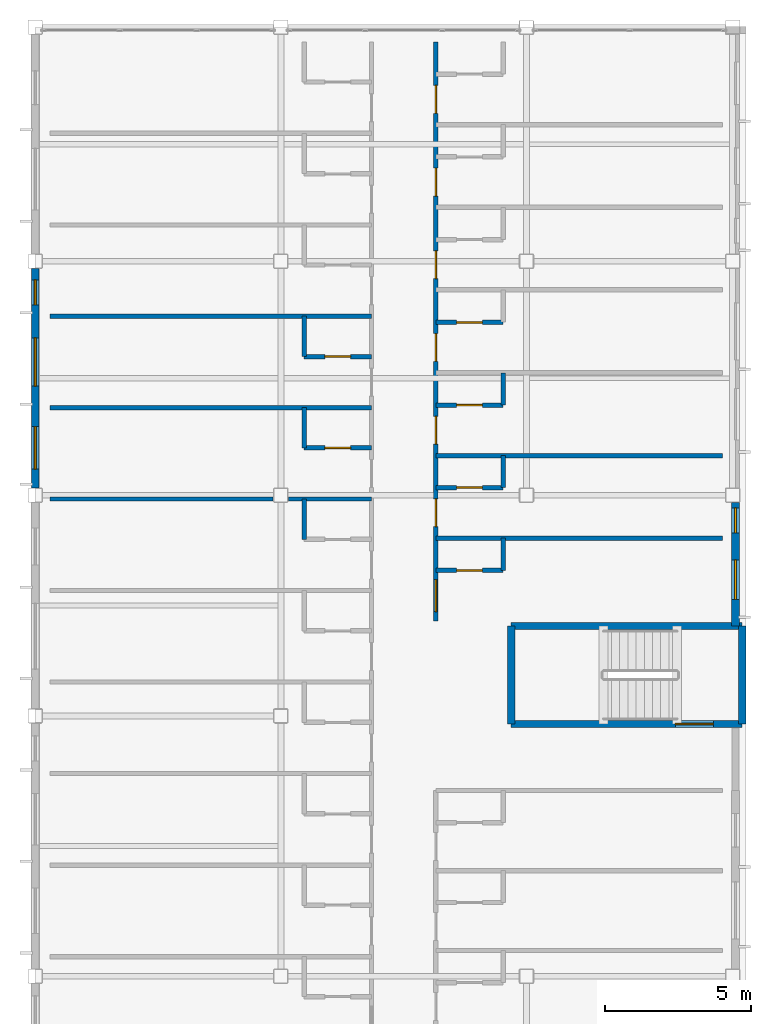
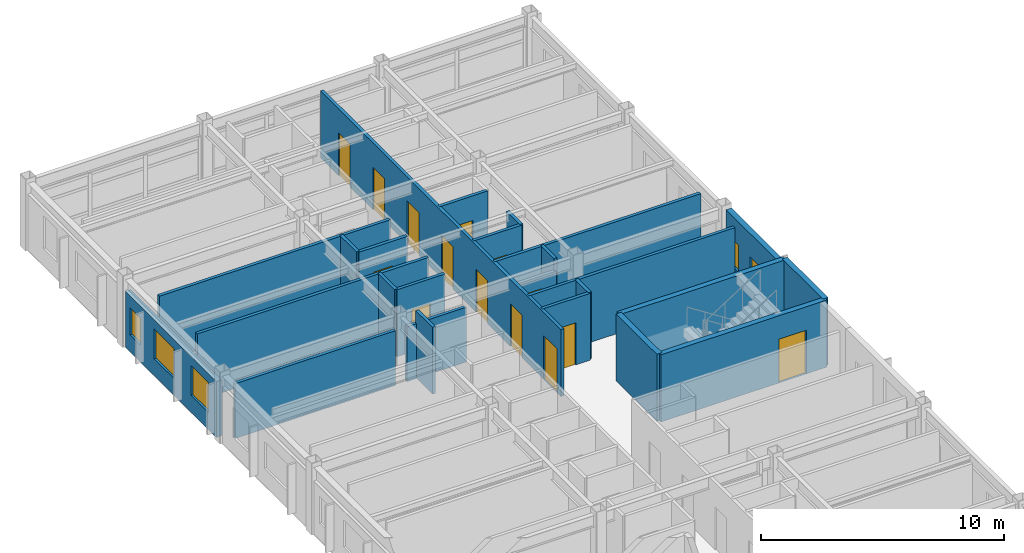
# One storey, part 30 of 35: 25 walls, 14 doors, 5 windows, 19 openings.
"""IFC4 building model written with IfcOpenShell, lengths in metres."""

from ifc_helpers import new_model, si_unit, direction, frame, frame_2d, origin, place, context, subcontext, project, spatial, rectangle, extrude, material, layer, layer_set, type_object, element, fill, save


model = new_model("IFC4")

# Units and contexts
model_context = context("Model", 3, precision=1e-05, world=origin(), true_north=direction((0.0, 1.0)))
body_context = subcontext(model_context, "Body", "Model", "MODEL_VIEW")
ifc_project = project(units=[si_unit("LENGTHUNIT", "METRE"), si_unit("AREAUNIT", "SQUARE_METRE"), si_unit("VOLUMEUNIT", "CUBIC_METRE"), si_unit("PLANEANGLEUNIT", "RADIAN"), si_unit("MASSUNIT", "GRAM", prefix="KILO")], contexts=[model_context])

# Site, building, storey
site_placement = place(None, origin())
site = spatial("IfcSite", under=ifc_project, at=site_placement, CompositionType="ELEMENT")
building_placement = place(site_placement, origin())
building = spatial("IfcBuilding", under=site, at=building_placement, Name="Kazehara Bluff Congress Hotel", CompositionType="ELEMENT")
storey_placement = place(building_placement, frame((0.0, 0.0, 35.39990234375)))
storey = spatial("IfcBuildingStorey", under=building, at=storey_placement, Name="L08", CompositionType="ELEMENT", Elevation=35.39990234375)

# Walls
ifc_material_1 = material(Name="Concrete C40/50", Category="concrete")
ifc_layer_1 = layer(ifc_material_1, 0.25)
ifc_layer_set_1 = layer_set([ifc_layer_1], Name="Concrete C40/50")
wall_type_1 = type_object("IfcWallType", Name="TP-CW-RC", PredefinedType="SHEAR", material=ifc_layer_set_1)
for number, where, z_axis, x_axis, name in (
    (1, (167.875, 76.425048828125, 0.0), (0.0, 0.0, 1.0), (0.0, -1.0, 0.0), "L08 ST-12 core wall near"),
    (2, (159.97509765625, 73.074951171875, 0.0), (0.0, 0.0, 1.0), (0.0, 1.0, 0.0), "L08 ST-12 core wall far"),
):
    element("IfcWall", number, at=place(storey_placement, frame(where, z_axis=z_axis, x_axis=x_axis)), inside=storey, type_object=wall_type_1, Name=name, PredefinedType="SHEAR", context=body_context, shape_type="SweptSolid", body=[
        extrude(rectangle(XDim=3.35009765625, YDim=0.25, at=frame_2d((1.675048828125, 0.0))), origin(), (0.0, 0.0, 1.0), 3.380126953125),
    ])
wall_1_placement = place(storey_placement, frame((159.97509765625, 76.425048828125, 0.0), z_axis=(0.0, 0.0, 1.0), x_axis=(1.0, 0.0, 0.0)))
element("IfcWall", 3, at=wall_1_placement, inside=storey, type_object=wall_type_1, Name="L08 ST-12 core wall left", PredefinedType="SHEAR", context=body_context, shape_type="SweptSolid", body=[
    extrude(rectangle(XDim=7.89990234375, YDim=0.25, at=frame_2d((3.949951171875, 0.0))), origin(), (0.0, 0.0, 1.0), 3.380126953125),
])

# Wall, opening, door
wall_2_placement = place(storey_placement, frame((167.875, 73.074951171875, 0.0), z_axis=(0.0, 0.0, 1.0), x_axis=(-1.0, 0.0, 0.0)))
wall_2 = element("IfcWall", 4, at=wall_2_placement, inside=storey, type_object=wall_type_1, Name="L08 ST-12 core wall right", PredefinedType="SHEAR", context=body_context, shape_type="SweptSolid", body=[
    extrude(rectangle(XDim=7.89990234375, YDim=0.25, at=frame_2d((3.949951171875, 0.0))), origin(), (0.0, 0.0, 1.0), 3.380126953125),
])
opening_1_placement = place(wall_2_placement, frame((0.985107421875, 0.0, 0.0)))
opening_1 = element("IfcOpeningElement", 5, at=opening_1_placement, cuts=wall_2, Name="Opening FD-01", PredefinedType="OPENING", context=body_context, shape_type="SweptSolid", body=[
    extrude(rectangle(XDim=1.300048828125, YDim=2.199951171875, at=frame_2d((0.64990234375, 1.10009765625))), frame((0.0, 0.135009765625, 0.0), z_axis=(0.0, -1.0, 0.0), x_axis=(1.0, 0.0, 0.0)), (0.0, 0.0, 1.0), 0.27001953125),
])
ifc_material_2 = material(Name="Fire-rated painted steel leaf", Category="steel")
door_type_1 = type_object("IfcDoorType", Name="TP-FD-01", OperationType="NOTDEFINED", PredefinedType="DOOR", material=ifc_material_2)
door_1_placement = place(opening_1_placement, origin())
door_1 = element("IfcDoor", 6, at=door_1_placement, inside=storey, type_object=door_type_1, Name="L08 ST-12 fire stair door", OperationType="SINGLE_SWING_RIGHT", OverallHeight=2.199951171875, OverallWidth=1.300048828125, PredefinedType="DOOR", context=body_context, shape_type="SweptSolid", body=[
    extrude(rectangle(XDim=1.300048828125, YDim=2.199951171875, at=frame_2d((0.64990234375, 1.10009765625))), frame((0.0, 0.02490234375, 0.0), z_axis=(0.0, -1.0, 0.0), x_axis=(1.0, 0.0, 0.0)), (0.0, 0.0, 1.0), 0.050048828125),
])
fill(opening_1, door_1)

# Wall, openings, windows
ifc_material_3 = material(Name="Precast concrete C40/50", Category="concrete")
ifc_layer_2 = layer(ifc_material_3, 0.260009765625)
ifc_layer_set_2 = layer_set([ifc_layer_2], Name="Precast concrete C40/50")
wall_type_2 = type_object("IfcWallType", Name="TP-EW-260", PredefinedType="SOLIDWALL", material=ifc_layer_set_2)
wall_3_placement = place(storey_placement, frame((167.64990234375, 80.64990234375, 0.0), z_axis=(0.0, 0.0, 1.0), x_axis=(0.0, -1.0, 0.0)))
wall_3 = element("IfcWall", 7, at=wall_3_placement, inside=storey, type_object=wall_type_2, Name="L08 hotel facade panel 117", PredefinedType="SOLIDWALL", context=body_context, shape_type="SweptSolid", body=[
    extrude(rectangle(XDim=4.224853515625, YDim=0.260009765625, at=frame_2d((2.1123046875, 0.0))), origin(), (0.0, 0.0, 1.0), 3.364990234375),
])
opening_2_placement = place(wall_3_placement, frame((1.9599609375, 0.0, 0.85009765625)))
opening_2 = element("IfcOpeningElement", 8, at=opening_2_placement, cuts=wall_3, Name="Opening WN-11", PredefinedType="OPENING", context=body_context, shape_type="SweptSolid", body=[
    extrude(rectangle(XDim=1.35009765625, YDim=1.35009765625, at=frame_2d((0.675048828125, 0.675048828125))), frame((0.0, 0.139892578125, 0.0), z_axis=(0.0, -1.0, 0.0), x_axis=(1.0, 0.0, 0.0)), (0.0, 0.0, 1.0), 0.280029296875),
])
opening_3_placement = place(wall_3_placement, frame((0.18505859375, 0.0, 0.85009765625)))
opening_3 = element("IfcOpeningElement", 9, at=opening_3_placement, cuts=wall_3, Name="Opening WN-55", PredefinedType="OPENING", context=body_context, shape_type="SweptSolid", body=[
    extrude(rectangle(XDim=0.85009765625, YDim=1.35009765625, at=frame_2d((0.425048828125, 0.675048828125))), frame((0.0, 0.139892578125, 0.0), z_axis=(0.0, -1.0, 0.0), x_axis=(1.0, 0.0, 0.0)), (0.0, 0.0, 1.0), 0.280029296875),
])
ifc_material_4 = material(Name="Insulated low-E double glazing", Category="glass")
window_type_1 = type_object("IfcWindowType", Name="TP-WN-11", PartitioningType="SINGLE_PANEL", PredefinedType="WINDOW", material=ifc_material_4)
window_1_placement = place(opening_2_placement, origin())
window_1 = element("IfcWindow", 10, at=window_1_placement, inside=storey, type_object=window_type_1, Name="L08 guestroom window WN-11 225", OverallHeight=1.35009765625, OverallWidth=1.35009765625, PartitioningType="SINGLE_PANEL", PredefinedType="WINDOW", context=body_context, shape_type="SweptSolid", body=[
    extrude(rectangle(XDim=1.35009765625, YDim=1.35009765625, at=frame_2d((0.675048828125, 0.675048828125))), frame((0.0, 0.030029296875, 0.0), z_axis=(0.0, -1.0, 0.0), x_axis=(1.0, 0.0, 0.0)), (0.0, 0.0, 1.0), 0.06005859375),
])
fill(opening_2, window_1)
ifc_material_5 = material(Name="Insulated low-E double glazing", Category="glass")
window_type_2 = type_object("IfcWindowType", Name="TP-WN-55", PartitioningType="SINGLE_PANEL", PredefinedType="WINDOW", material=ifc_material_5)
window_2_placement = place(opening_3_placement, origin())
window_2 = element("IfcWindow", 11, at=window_2_placement, inside=storey, type_object=window_type_2, Name="L08 guestroom window WN-55 226", OverallHeight=1.35009765625, OverallWidth=0.85009765625, PartitioningType="SINGLE_PANEL", PredefinedType="WINDOW", context=body_context, shape_type="SweptSolid", body=[
    extrude(rectangle(XDim=0.85009765625, YDim=1.35009765625, at=frame_2d((0.425048828125, 0.675048828125))), frame((0.0, 0.030029296875, 0.0), z_axis=(0.0, -1.0, 0.0), x_axis=(1.0, 0.0, 0.0)), (0.0, 0.0, 1.0), 0.06005859375),
])
fill(opening_3, window_2)

wall_4_placement = place(storey_placement, frame((143.699951171875, 81.14990234375, 0.0), z_axis=(0.0, 0.0, 1.0), x_axis=(0.0, 1.0, 0.0)))
wall_4 = element("IfcWall", 12, at=wall_4_placement, inside=storey, type_object=wall_type_2, Name="L08 hotel facade panel 128", PredefinedType="SOLIDWALL", context=body_context, shape_type="SweptSolid", body=[
    extrude(rectangle(XDim=7.5, YDim=0.260009765625, at=frame_2d((3.75, 0.0))), origin(), (0.0, 0.0, 1.0), 2.80517578125),
])
opening_4_placement = place(wall_4_placement, frame((0.64501953125, 0.0, 0.85009765625)))
opening_4 = element("IfcOpeningElement", 13, at=opening_4_placement, cuts=wall_4, Name="Opening WN-17", PredefinedType="OPENING", context=body_context, shape_type="SweptSolid", body=[
    extrude(rectangle(XDim=1.449951171875, YDim=1.5, at=frame_2d((0.72509765625, 0.75))), frame((0.0, 0.139892578125, 0.0), z_axis=(0.0, -1.0, 0.0), x_axis=(1.0, 0.0, 0.0)), (0.0, 0.0, 1.0), 0.280029296875),
])
opening_5_placement = place(wall_4_placement, frame((3.47998046875, 0.0, 0.85009765625)))
opening_5 = element("IfcOpeningElement", 14, at=opening_5_placement, cuts=wall_4, Name="Opening WN-27", PredefinedType="OPENING", context=body_context, shape_type="SweptSolid", body=[
    extrude(rectangle(XDim=1.64990234375, YDim=1.5, at=frame_2d((0.824951171875, 0.75))), frame((0.0, 0.139892578125, 0.0), z_axis=(0.0, -1.0, 0.0), x_axis=(1.0, 0.0, 0.0)), (0.0, 0.0, 1.0), 0.280029296875),
])
opening_6_placement = place(wall_4_placement, frame((6.260009765625, 0.0, 0.85009765625)))
opening_6 = element("IfcOpeningElement", 15, at=opening_6_placement, cuts=wall_4, Name="Opening WN-55", PredefinedType="OPENING", context=body_context, shape_type="SweptSolid", body=[
    extrude(rectangle(XDim=0.85009765625, YDim=1.35009765625, at=frame_2d((0.425048828125, 0.675048828125))), frame((0.0, 0.139892578125, 0.0), z_axis=(0.0, -1.0, 0.0), x_axis=(1.0, 0.0, 0.0)), (0.0, 0.0, 1.0), 0.280029296875),
])
ifc_material_6 = material(Name="Insulated low-E double glazing", Category="glass")
window_type_3 = type_object("IfcWindowType", Name="TP-WN-17", PartitioningType="SINGLE_PANEL", PredefinedType="WINDOW", material=ifc_material_6)
window_3_placement = place(opening_4_placement, origin())
window_3 = element("IfcWindow", 16, at=window_3_placement, inside=storey, type_object=window_type_3, Name="L08 guestroom window WN-17 248", OverallHeight=1.5, OverallWidth=1.449951171875, PartitioningType="SINGLE_PANEL", PredefinedType="WINDOW", context=body_context, shape_type="SweptSolid", body=[
    extrude(rectangle(XDim=1.449951171875, YDim=1.5, at=frame_2d((0.72509765625, 0.75))), frame((0.0, 0.030029296875, 0.0), z_axis=(0.0, -1.0, 0.0), x_axis=(1.0, 0.0, 0.0)), (0.0, 0.0, 1.0), 0.06005859375),
])
fill(opening_4, window_3)
ifc_material_7 = material(Name="Insulated low-E double glazing", Category="glass")
window_type_4 = type_object("IfcWindowType", Name="TP-WN-27", PartitioningType="SINGLE_PANEL", PredefinedType="WINDOW", material=ifc_material_7)
window_4_placement = place(opening_5_placement, origin())
window_4 = element("IfcWindow", 17, at=window_4_placement, inside=storey, type_object=window_type_4, Name="L08 guestroom window WN-27 249", OverallHeight=1.5, OverallWidth=1.64990234375, PartitioningType="SINGLE_PANEL", PredefinedType="WINDOW", context=body_context, shape_type="SweptSolid", body=[
    extrude(rectangle(XDim=1.64990234375, YDim=1.5, at=frame_2d((0.824951171875, 0.75))), frame((0.0, 0.030029296875, 0.0), z_axis=(0.0, -1.0, 0.0), x_axis=(1.0, 0.0, 0.0)), (0.0, 0.0, 1.0), 0.06005859375),
])
fill(opening_5, window_4)
window_5_placement = place(opening_6_placement, origin())
window_5 = element("IfcWindow", 18, at=window_5_placement, inside=storey, type_object=window_type_2, Name="L08 guestroom window WN-55 250", OverallHeight=1.35009765625, OverallWidth=0.85009765625, PartitioningType="SINGLE_PANEL", PredefinedType="WINDOW", context=body_context, shape_type="SweptSolid", body=[
    extrude(rectangle(XDim=0.85009765625, YDim=1.35009765625, at=frame_2d((0.425048828125, 0.675048828125))), frame((0.0, 0.030029296875, 0.0), z_axis=(0.0, -1.0, 0.0), x_axis=(1.0, 0.0, 0.0)), (0.0, 0.0, 1.0), 0.06005859375),
])
fill(opening_6, window_5)

# Wall, opening, door
ifc_material_8 = material(Name="Fire-rated gypsum board stud partition")
ifc_layer_3 = layer(ifc_material_8, 0.14990234375)
ifc_layer_set_3 = layer_set([ifc_layer_3], Name="Fire-rated gypsum board stud partition")
wall_type_3 = type_object("IfcWallType", Name="TP-PT-150", PredefinedType="PARTITIONING", material=ifc_layer_set_3)
wall_5_placement = place(storey_placement, frame((157.39990234375, 78.330078125, 0.0), z_axis=(0.0, 0.0, 1.0), x_axis=(1.0, 0.0, 0.0)))
wall_5 = element("IfcWall", 19, at=wall_5_placement, inside=storey, type_object=wall_type_3, Name="L08 partition PT-150 1084", PredefinedType="PARTITIONING", context=body_context, shape_type="SweptSolid", body=[
    extrude(rectangle(XDim=2.300048828125, YDim=0.14990234375, at=frame_2d((1.14990234375, 0.0))), origin(), (0.0, 0.0, 1.0), 3.364990234375),
])
opening_7_placement = place(wall_5_placement, frame((0.7099609375, 0.0, 0.0)))
opening_7 = element("IfcOpeningElement", 20, at=opening_7_placement, cuts=wall_5, Name="Opening BD-02", PredefinedType="OPENING", context=body_context, shape_type="SweptSolid", body=[
    extrude(rectangle(XDim=0.8798828125, YDim=2.1201171875, at=frame_2d((0.43994140625, 1.06005859375))), frame((0.0, 0.0849609375, 0.0), z_axis=(0.0, -1.0, 0.0), x_axis=(1.0, 0.0, 0.0)), (0.0, 0.0, 1.0), 0.169921875),
])
ifc_material_9 = material(Name="Architectural oak veneer leaf")
door_type_2 = type_object("IfcDoorType", Name="TP-BD-02", OperationType="NOTDEFINED", PredefinedType="DOOR", material=ifc_material_9)
door_2_placement = place(opening_7_placement, origin())
door_2 = element("IfcDoor", 21, at=door_2_placement, inside=storey, type_object=door_type_2, Name="L08 En-suite Bathroom 246 door", OperationType="SINGLE_SWING_LEFT", OverallHeight=2.1201171875, OverallWidth=0.8798828125, PredefinedType="DOOR", context=body_context, shape_type="SweptSolid", body=[
    extrude(rectangle(XDim=0.8798828125, YDim=2.1201171875, at=frame_2d((0.43994140625, 1.06005859375))), frame((0.0, 0.02490234375, 0.0), z_axis=(0.0, -1.0, 0.0), x_axis=(1.0, 0.0, 0.0)), (0.0, 0.0, 1.0), 0.050048828125),
])
fill(opening_7, door_2)

# Walls
wall_6_placement = place(storey_placement, frame((157.39990234375, 79.429931640625, 0.0), z_axis=(0.0, 0.0, 1.0), x_axis=(1.0, 0.0, 0.0)))
element("IfcWall", 22, at=wall_6_placement, inside=storey, type_object=wall_type_3, Name="L08 partition PT-150 1086", PredefinedType="PARTITIONING", context=body_context, shape_type="SweptSolid", body=[
    extrude(rectangle(XDim=9.800048828125, YDim=0.14990234375, at=frame_2d((4.89990234375, 0.0))), origin(), (0.0, 0.0, 1.0), 3.364990234375),
])
wall_7_placement = place(storey_placement, frame((144.199951171875, 80.77001953125, 0.0), z_axis=(0.0, 0.0, 1.0), x_axis=(1.0, 0.0, 0.0)))
element("IfcWall", 23, at=wall_7_placement, inside=storey, type_object=wall_type_3, Name="L08 partition PT-150 1087", PredefinedType="PARTITIONING", context=body_context, shape_type="SweptSolid", body=[
    extrude(rectangle(XDim=7.630126953125, YDim=0.14990234375, at=frame_2d((3.81494140625, 0.0))), origin(), (0.0, 0.0, 1.0), 2.755126953125),
])
wall_8_placement = place(storey_placement, frame((152.3701171875, 80.77001953125, 0.0), z_axis=(0.0, 0.0, 1.0), x_axis=(1.0, 0.0, 0.0)))
element("IfcWall", 24, at=wall_8_placement, inside=storey, type_object=wall_type_3, Name="L08 partition PT-150 1088", PredefinedType="PARTITIONING", context=body_context, shape_type="SweptSolid", body=[
    extrude(rectangle(XDim=2.829833984375, YDim=0.14990234375, at=frame_2d((1.4150390625, 0.0))), origin(), (0.0, 0.0, 1.0), 2.755126953125),
])

# Wall, opening, door
wall_9_placement = place(storey_placement, frame((157.39990234375, 81.159912109375, 0.0), z_axis=(0.0, 0.0, 1.0), x_axis=(1.0, 0.0, 0.0)))
wall_9 = element("IfcWall", 25, at=wall_9_placement, inside=storey, type_object=wall_type_3, Name="L08 partition PT-150 1089", PredefinedType="PARTITIONING", context=body_context, shape_type="SweptSolid", body=[
    extrude(rectangle(XDim=2.300048828125, YDim=0.14990234375, at=frame_2d((1.14990234375, 0.0))), origin(), (0.0, 0.0, 1.0), 2.755126953125),
])
opening_8_placement = place(wall_9_placement, frame((0.7099609375, 0.0, 0.0)))
opening_8 = element("IfcOpeningElement", 26, at=opening_8_placement, cuts=wall_9, Name="Opening BD-02", PredefinedType="OPENING", context=body_context, shape_type="SweptSolid", body=[
    extrude(rectangle(XDim=0.8798828125, YDim=2.1201171875, at=frame_2d((0.43994140625, 1.06005859375))), frame((0.0, 0.0849609375, 0.0), z_axis=(0.0, -1.0, 0.0), x_axis=(1.0, 0.0, 0.0)), (0.0, 0.0, 1.0), 0.169921875),
])
door_3_placement = place(opening_8_placement, origin())
door_3 = element("IfcDoor", 27, at=door_3_placement, inside=storey, type_object=door_type_2, Name="L08 En-suite Bathroom 247 door", OperationType="SINGLE_SWING_LEFT", OverallHeight=2.1201171875, OverallWidth=0.8798828125, PredefinedType="DOOR", context=body_context, shape_type="SweptSolid", body=[
    extrude(rectangle(XDim=0.8798828125, YDim=2.1201171875, at=frame_2d((0.43994140625, 1.06005859375))), frame((0.0, 0.02490234375, 0.0), z_axis=(0.0, -1.0, 0.0), x_axis=(1.0, 0.0, 0.0)), (0.0, 0.0, 1.0), 0.050048828125),
])
fill(opening_8, door_3)

# Wall
wall_10_placement = place(storey_placement, frame((157.39990234375, 82.25, 0.0), z_axis=(0.0, 0.0, 1.0), x_axis=(1.0, 0.0, 0.0)))
element("IfcWall", 28, at=wall_10_placement, inside=storey, type_object=wall_type_3, Name="L08 partition PT-150 1090", PredefinedType="PARTITIONING", context=body_context, shape_type="SweptSolid", body=[
    extrude(rectangle(XDim=9.800048828125, YDim=0.14990234375, at=frame_2d((4.89990234375, 0.0))), origin(), (0.0, 0.0, 1.0), 3.364990234375),
])

# Wall, opening, door
wall_11_placement = place(storey_placement, frame((152.89990234375, 82.52001953125, 0.0), z_axis=(0.0, 0.0, 1.0), x_axis=(1.0, 0.0, 0.0)))
wall_11 = element("IfcWall", 29, at=wall_11_placement, inside=storey, type_object=wall_type_3, Name="L08 partition PT-150 1091", PredefinedType="PARTITIONING", context=body_context, shape_type="SweptSolid", body=[
    extrude(rectangle(XDim=2.300048828125, YDim=0.14990234375, at=frame_2d((1.14990234375, 0.0))), origin(), (0.0, 0.0, 1.0), 3.364990234375),
])
opening_9_placement = place(wall_11_placement, frame((0.7099609375, 0.0, 0.0)))
opening_9 = element("IfcOpeningElement", 30, at=opening_9_placement, cuts=wall_11, Name="Opening BD-02", PredefinedType="OPENING", context=body_context, shape_type="SweptSolid", body=[
    extrude(rectangle(XDim=0.8798828125, YDim=2.1201171875, at=frame_2d((0.43994140625, 1.06005859375))), frame((0.0, 0.0849609375, 0.0), z_axis=(0.0, -1.0, 0.0), x_axis=(1.0, 0.0, 0.0)), (0.0, 0.0, 1.0), 0.169921875),
])
door_4_placement = place(opening_9_placement, origin())
door_4 = element("IfcDoor", 31, at=door_4_placement, inside=storey, type_object=door_type_2, Name="L08 En-suite Bathroom 225 door", OperationType="SINGLE_SWING_LEFT", OverallHeight=2.1201171875, OverallWidth=0.8798828125, PredefinedType="DOOR", context=body_context, shape_type="SweptSolid", body=[
    extrude(rectangle(XDim=0.8798828125, YDim=2.1201171875, at=frame_2d((0.43994140625, 1.06005859375))), frame((0.0, 0.02490234375, 0.0), z_axis=(0.0, -1.0, 0.0), x_axis=(1.0, 0.0, 0.0)), (0.0, 0.0, 1.0), 0.050048828125),
])
fill(opening_9, door_4)

# Wall
wall_12_placement = place(storey_placement, frame((144.199951171875, 83.889892578125, 0.0), z_axis=(0.0, 0.0, 1.0), x_axis=(1.0, 0.0, 0.0)))
element("IfcWall", 32, at=wall_12_placement, inside=storey, type_object=wall_type_3, Name="L08 partition PT-150 1092", PredefinedType="PARTITIONING", context=body_context, shape_type="SweptSolid", body=[
    extrude(rectangle(XDim=11.0, YDim=0.14990234375, at=frame_2d((5.5, 0.0))), origin(), (0.0, 0.0, 1.0), 3.364990234375),
])

# Wall, opening, door
wall_13_placement = place(storey_placement, frame((157.39990234375, 83.97998046875, 0.0), z_axis=(0.0, 0.0, 1.0), x_axis=(1.0, 0.0, 0.0)))
wall_13 = element("IfcWall", 33, at=wall_13_placement, inside=storey, type_object=wall_type_3, Name="L08 partition PT-150 1093", PredefinedType="PARTITIONING", context=body_context, shape_type="SweptSolid", body=[
    extrude(rectangle(XDim=2.300048828125, YDim=0.14990234375, at=frame_2d((1.14990234375, 0.0))), origin(), (0.0, 0.0, 1.0), 3.364990234375),
])
opening_10_placement = place(wall_13_placement, frame((0.7099609375, 0.0, 0.0)))
opening_10 = element("IfcOpeningElement", 34, at=opening_10_placement, cuts=wall_13, Name="Opening BD-02", PredefinedType="OPENING", context=body_context, shape_type="SweptSolid", body=[
    extrude(rectangle(XDim=0.8798828125, YDim=2.1201171875, at=frame_2d((0.43994140625, 1.06005859375))), frame((0.0, 0.0849609375, 0.0), z_axis=(0.0, -1.0, 0.0), x_axis=(1.0, 0.0, 0.0)), (0.0, 0.0, 1.0), 0.169921875),
])
door_5_placement = place(opening_10_placement, origin())
door_5 = element("IfcDoor", 35, at=door_5_placement, inside=storey, type_object=door_type_2, Name="L08 En-suite Bathroom 248 door", OperationType="SINGLE_SWING_LEFT", OverallHeight=2.1201171875, OverallWidth=0.8798828125, PredefinedType="DOOR", context=body_context, shape_type="SweptSolid", body=[
    extrude(rectangle(XDim=0.8798828125, YDim=2.1201171875, at=frame_2d((0.43994140625, 1.06005859375))), frame((0.0, 0.02490234375, 0.0), z_axis=(0.0, -1.0, 0.0), x_axis=(1.0, 0.0, 0.0)), (0.0, 0.0, 1.0), 0.050048828125),
])
fill(opening_10, door_5)

wall_14_placement = place(storey_placement, frame((152.89990234375, 85.639892578125, 0.0), z_axis=(0.0, 0.0, 1.0), x_axis=(1.0, 0.0, 0.0)))
wall_14 = element("IfcWall", 36, at=wall_14_placement, inside=storey, type_object=wall_type_3, Name="L08 partition PT-150 1095", PredefinedType="PARTITIONING", context=body_context, shape_type="SweptSolid", body=[
    extrude(rectangle(XDim=2.300048828125, YDim=0.14990234375, at=frame_2d((1.14990234375, 0.0))), origin(), (0.0, 0.0, 1.0), 3.364990234375),
])
opening_11_placement = place(wall_14_placement, frame((0.7099609375, 0.0, 0.0)))
opening_11 = element("IfcOpeningElement", 37, at=opening_11_placement, cuts=wall_14, Name="Opening BD-02", PredefinedType="OPENING", context=body_context, shape_type="SweptSolid", body=[
    extrude(rectangle(XDim=0.8798828125, YDim=2.1201171875, at=frame_2d((0.43994140625, 1.06005859375))), frame((0.0, 0.0849609375, 0.0), z_axis=(0.0, -1.0, 0.0), x_axis=(1.0, 0.0, 0.0)), (0.0, 0.0, 1.0), 0.169921875),
])
door_6_placement = place(opening_11_placement, origin())
door_6 = element("IfcDoor", 38, at=door_6_placement, inside=storey, type_object=door_type_2, Name="L08 En-suite Bathroom 226 door", OperationType="SINGLE_SWING_LEFT", OverallHeight=2.1201171875, OverallWidth=0.8798828125, PredefinedType="DOOR", context=body_context, shape_type="SweptSolid", body=[
    extrude(rectangle(XDim=0.8798828125, YDim=2.1201171875, at=frame_2d((0.43994140625, 1.06005859375))), frame((0.0, 0.02490234375, 0.0), z_axis=(0.0, -1.0, 0.0), x_axis=(1.0, 0.0, 0.0)), (0.0, 0.0, 1.0), 0.050048828125),
])
fill(opening_11, door_6)

wall_15_placement = place(storey_placement, frame((157.39990234375, 86.81005859375, 0.0), z_axis=(0.0, 0.0, 1.0), x_axis=(1.0, 0.0, 0.0)))
wall_15 = element("IfcWall", 39, at=wall_15_placement, inside=storey, type_object=wall_type_3, Name="L08 partition PT-150 1096", PredefinedType="PARTITIONING", context=body_context, shape_type="SweptSolid", body=[
    extrude(rectangle(XDim=2.300048828125, YDim=0.14990234375, at=frame_2d((1.14990234375, 0.0))), origin(), (0.0, 0.0, 1.0), 3.364990234375),
])
opening_12_placement = place(wall_15_placement, frame((0.7099609375, 0.0, 0.0)))
opening_12 = element("IfcOpeningElement", 40, at=opening_12_placement, cuts=wall_15, Name="Opening BD-02", PredefinedType="OPENING", context=body_context, shape_type="SweptSolid", body=[
    extrude(rectangle(XDim=0.8798828125, YDim=2.1201171875, at=frame_2d((0.43994140625, 1.06005859375))), frame((0.0, 0.0849609375, 0.0), z_axis=(0.0, -1.0, 0.0), x_axis=(1.0, 0.0, 0.0)), (0.0, 0.0, 1.0), 0.169921875),
])
door_7_placement = place(opening_12_placement, origin())
door_7 = element("IfcDoor", 41, at=door_7_placement, inside=storey, type_object=door_type_2, Name="L08 En-suite Bathroom 249 door", OperationType="SINGLE_SWING_LEFT", OverallHeight=2.1201171875, OverallWidth=0.8798828125, PredefinedType="DOOR", context=body_context, shape_type="SweptSolid", body=[
    extrude(rectangle(XDim=0.8798828125, YDim=2.1201171875, at=frame_2d((0.43994140625, 1.06005859375))), frame((0.0, 0.02490234375, 0.0), z_axis=(0.0, -1.0, 0.0), x_axis=(1.0, 0.0, 0.0)), (0.0, 0.0, 1.0), 0.050048828125),
])
fill(opening_12, door_7)

# Walls
wall_16_placement = place(storey_placement, frame((144.199951171875, 87.02001953125, 0.0), z_axis=(0.0, 0.0, 1.0), x_axis=(1.0, 0.0, 0.0)))
element("IfcWall", 42, at=wall_16_placement, inside=storey, type_object=wall_type_3, Name="L08 partition PT-150 1097", PredefinedType="PARTITIONING", context=body_context, shape_type="SweptSolid", body=[
    extrude(rectangle(XDim=11.0, YDim=0.14990234375, at=frame_2d((5.5, 0.0))), origin(), (0.0, 0.0, 1.0), 3.364990234375),
])
wall_17_placement = place(storey_placement, frame((152.89990234375, 79.385009765625, 0.0), z_axis=(0.0, 0.0, 1.0), x_axis=(0.0, 1.0, 0.0)))
element("IfcWall", 43, at=wall_17_placement, inside=storey, type_object=wall_type_3, Name="L08 partition PT-150 1126", PredefinedType="PARTITIONING", context=body_context, shape_type="SweptSolid", body=[
    extrude(rectangle(XDim=1.3798828125, YDim=0.14990234375, at=frame_2d((0.68994140625, 0.0))), origin(), (0.0, 0.0, 1.0), 3.364990234375),
])
wall_18_placement = place(storey_placement, frame((152.89990234375, 82.514892578125, 0.0), z_axis=(0.0, 0.0, 1.0), x_axis=(0.0, 1.0, 0.0)))
element("IfcWall", 44, at=wall_18_placement, inside=storey, type_object=wall_type_3, Name="L08 partition PT-150 1127", PredefinedType="PARTITIONING", context=body_context, shape_type="SweptSolid", body=[
    extrude(rectangle(XDim=1.375, YDim=0.14990234375, at=frame_2d((0.6875, 0.0))), origin(), (0.0, 0.0, 1.0), 3.364990234375),
])
wall_19_placement = place(storey_placement, frame((152.89990234375, 85.639892578125, 0.0), z_axis=(0.0, 0.0, 1.0), x_axis=(0.0, 1.0, 0.0)))
element("IfcWall", 45, at=wall_19_placement, inside=storey, type_object=wall_type_3, Name="L08 partition PT-150 1128", PredefinedType="PARTITIONING", context=body_context, shape_type="SweptSolid", body=[
    extrude(rectangle(XDim=1.380126953125, YDim=0.14990234375, at=frame_2d((0.68994140625, 0.0))), origin(), (0.0, 0.0, 1.0), 3.364990234375),
])

# Wall, openings, doors
wall_20_placement = place(storey_placement, frame((157.39990234375, 76.60009765625, 0.0), z_axis=(0.0, 0.0, 1.0), x_axis=(0.0, 1.0, 0.0)))
wall_20 = element("IfcWall", 46, at=wall_20_placement, inside=storey, type_object=wall_type_3, Name="L08 partition PT-150 1141", PredefinedType="PARTITIONING", context=body_context, shape_type="SweptSolid", body=[
    extrude(rectangle(XDim=19.7998046875, YDim=0.14990234375, at=frame_2d((9.89990234375, 0.0))), origin(), (0.0, 0.0, 1.0), 3.364990234375),
])
opening_13_placement = place(wall_20_placement, frame((0.31494140625, 0.0, 0.0)))
opening_13 = element("IfcOpeningElement", 47, at=opening_13_placement, cuts=wall_20, Name="Opening GD-02", PredefinedType="OPENING", context=body_context, shape_type="SweptSolid", body=[
    extrude(rectangle(XDim=1.10009765625, YDim=2.199951171875, at=frame_2d((0.550048828125, 1.10009765625))), frame((0.0, 0.0849609375, 0.0), z_axis=(0.0, -1.0, 0.0), x_axis=(1.0, 0.0, 0.0)), (0.0, 0.0, 1.0), 0.169921875),
])
opening_14_placement = place(wall_20_placement, frame((3.219970703125, 0.0, 0.0)))
opening_14 = element("IfcOpeningElement", 48, at=opening_14_placement, cuts=wall_20, Name="Opening GD-01", PredefinedType="OPENING", context=body_context, shape_type="SweptSolid", body=[
    extrude(rectangle(XDim=0.949951171875, YDim=2.14990234375, at=frame_2d((0.47509765625, 1.074951171875))), frame((0.0, 0.0849609375, 0.0), z_axis=(0.0, -1.0, 0.0), x_axis=(1.0, 0.0, 0.0)), (0.0, 0.0, 1.0), 0.169921875),
])
opening_15_placement = place(wall_20_placement, frame((6.044921875, 0.0, 0.0)))
opening_15 = element("IfcOpeningElement", 49, at=opening_15_placement, cuts=wall_20, Name="Opening GD-01", PredefinedType="OPENING", context=body_context, shape_type="SweptSolid", body=[
    extrude(rectangle(XDim=0.949951171875, YDim=2.14990234375, at=frame_2d((0.47509765625, 1.074951171875))), frame((0.0, 0.0849609375, 0.0), z_axis=(0.0, -1.0, 0.0), x_axis=(1.0, 0.0, 0.0)), (0.0, 0.0, 1.0), 0.169921875),
])
opening_16_placement = place(wall_20_placement, frame((8.875, 0.0, 0.0)))
opening_16 = element("IfcOpeningElement", 50, at=opening_16_placement, cuts=wall_20, Name="Opening GD-01", PredefinedType="OPENING", context=body_context, shape_type="SweptSolid", body=[
    extrude(rectangle(XDim=0.949951171875, YDim=2.14990234375, at=frame_2d((0.47509765625, 1.074951171875))), frame((0.0, 0.0849609375, 0.0), z_axis=(0.0, -1.0, 0.0), x_axis=(1.0, 0.0, 0.0)), (0.0, 0.0, 1.0), 0.169921875),
])
opening_17_placement = place(wall_20_placement, frame((11.705078125, 0.0, 0.0)))
opening_17 = element("IfcOpeningElement", 51, at=opening_17_placement, cuts=wall_20, Name="Opening GD-01", PredefinedType="OPENING", context=body_context, shape_type="SweptSolid", body=[
    extrude(rectangle(XDim=0.949951171875, YDim=2.14990234375, at=frame_2d((0.47509765625, 1.074951171875))), frame((0.0, 0.0849609375, 0.0), z_axis=(0.0, -1.0, 0.0), x_axis=(1.0, 0.0, 0.0)), (0.0, 0.0, 1.0), 0.169921875),
])
opening_18_placement = place(wall_20_placement, frame((14.530029296875, 0.0, 0.0)))
opening_18 = element("IfcOpeningElement", 52, at=opening_18_placement, cuts=wall_20, Name="Opening GD-01", PredefinedType="OPENING", context=body_context, shape_type="SweptSolid", body=[
    extrude(rectangle(XDim=0.949951171875, YDim=2.14990234375, at=frame_2d((0.47509765625, 1.074951171875))), frame((0.0, 0.0849609375, 0.0), z_axis=(0.0, -1.0, 0.0), x_axis=(1.0, 0.0, 0.0)), (0.0, 0.0, 1.0), 0.169921875),
])
opening_19_placement = place(wall_20_placement, frame((17.360107421875, 0.0, 0.0)))
opening_19 = element("IfcOpeningElement", 53, at=opening_19_placement, cuts=wall_20, Name="Opening GD-01", PredefinedType="OPENING", context=body_context, shape_type="SweptSolid", body=[
    extrude(rectangle(XDim=0.949951171875, YDim=2.14990234375, at=frame_2d((0.47509765625, 1.074951171875))), frame((0.0, 0.0849609375, 0.0), z_axis=(0.0, -1.0, 0.0), x_axis=(1.0, 0.0, 0.0)), (0.0, 0.0, 1.0), 0.169921875),
])
ifc_material_10 = material(Name="Architectural oak veneer leaf")
door_type_3 = type_object("IfcDoorType", Name="TP-GD-01", OperationType="NOTDEFINED", PredefinedType="DOOR", material=ifc_material_10)
door_8_placement = place(opening_14_placement, origin())
door_8 = element("IfcDoor", 54, at=door_8_placement, inside=storey, type_object=door_type_3, Name="L08 Standard King Guest Room 247 door", OperationType="SINGLE_SWING_RIGHT", OverallHeight=2.14990234375, OverallWidth=0.949951171875, PredefinedType="DOOR", context=body_context, shape_type="SweptSolid", body=[
    extrude(rectangle(XDim=0.949951171875, YDim=2.14990234375, at=frame_2d((0.47509765625, 1.074951171875))), frame((0.0, 0.02490234375, 0.0), z_axis=(0.0, -1.0, 0.0), x_axis=(1.0, 0.0, 0.0)), (0.0, 0.0, 1.0), 0.050048828125),
])
fill(opening_14, door_8)
door_9_placement = place(opening_15_placement, origin())
door_9 = element("IfcDoor", 55, at=door_9_placement, inside=storey, type_object=door_type_3, Name="L08 Deluxe Twin Guest Room 248 door", OperationType="SINGLE_SWING_RIGHT", OverallHeight=2.14990234375, OverallWidth=0.949951171875, PredefinedType="DOOR", context=body_context, shape_type="SweptSolid", body=[
    extrude(rectangle(XDim=0.949951171875, YDim=2.14990234375, at=frame_2d((0.47509765625, 1.074951171875))), frame((0.0, 0.02490234375, 0.0), z_axis=(0.0, -1.0, 0.0), x_axis=(1.0, 0.0, 0.0)), (0.0, 0.0, 1.0), 0.050048828125),
])
fill(opening_15, door_9)
door_10_placement = place(opening_16_placement, origin())
door_10 = element("IfcDoor", 56, at=door_10_placement, inside=storey, type_object=door_type_3, Name="L08 Standard King Guest Room 249 door", OperationType="SINGLE_SWING_RIGHT", OverallHeight=2.14990234375, OverallWidth=0.949951171875, PredefinedType="DOOR", context=body_context, shape_type="SweptSolid", body=[
    extrude(rectangle(XDim=0.949951171875, YDim=2.14990234375, at=frame_2d((0.47509765625, 1.074951171875))), frame((0.0, 0.02490234375, 0.0), z_axis=(0.0, -1.0, 0.0), x_axis=(1.0, 0.0, 0.0)), (0.0, 0.0, 1.0), 0.050048828125),
])
fill(opening_16, door_10)
door_11_placement = place(opening_17_placement, origin())
door_11 = element("IfcDoor", 57, at=door_11_placement, inside=storey, type_object=door_type_3, Name="L08 Deluxe Twin Guest Room 250 door", OperationType="SINGLE_SWING_RIGHT", OverallHeight=2.14990234375, OverallWidth=0.949951171875, PredefinedType="DOOR", context=body_context, shape_type="SweptSolid", body=[
    extrude(rectangle(XDim=0.949951171875, YDim=2.14990234375, at=frame_2d((0.47509765625, 1.074951171875))), frame((0.0, 0.02490234375, 0.0), z_axis=(0.0, -1.0, 0.0), x_axis=(1.0, 0.0, 0.0)), (0.0, 0.0, 1.0), 0.050048828125),
])
fill(opening_17, door_11)
door_12_placement = place(opening_18_placement, origin())
door_12 = element("IfcDoor", 58, at=door_12_placement, inside=storey, type_object=door_type_3, Name="L08 Standard King Guest Room 251 door", OperationType="SINGLE_SWING_RIGHT", OverallHeight=2.14990234375, OverallWidth=0.949951171875, PredefinedType="DOOR", context=body_context, shape_type="SweptSolid", body=[
    extrude(rectangle(XDim=0.949951171875, YDim=2.14990234375, at=frame_2d((0.47509765625, 1.074951171875))), frame((0.0, 0.02490234375, 0.0), z_axis=(0.0, -1.0, 0.0), x_axis=(1.0, 0.0, 0.0)), (0.0, 0.0, 1.0), 0.050048828125),
])
fill(opening_18, door_12)
door_13_placement = place(opening_19_placement, origin())
door_13 = element("IfcDoor", 59, at=door_13_placement, inside=storey, type_object=door_type_3, Name="L08 Deluxe Twin Guest Room 252 door", OperationType="SINGLE_SWING_RIGHT", OverallHeight=2.14990234375, OverallWidth=0.949951171875, PredefinedType="DOOR", context=body_context, shape_type="SweptSolid", body=[
    extrude(rectangle(XDim=0.949951171875, YDim=2.14990234375, at=frame_2d((0.47509765625, 1.074951171875))), frame((0.0, 0.02490234375, 0.0), z_axis=(0.0, -1.0, 0.0), x_axis=(1.0, 0.0, 0.0)), (0.0, 0.0, 1.0), 0.050048828125),
])
fill(opening_19, door_13)
ifc_material_11 = material(Name="Architectural oak veneer leaf")
door_type_4 = type_object("IfcDoorType", Name="TP-GD-02", OperationType="NOTDEFINED", PredefinedType="DOOR", material=ifc_material_11)
door_14_placement = place(opening_13_placement, origin())
door_14 = element("IfcDoor", 60, at=door_14_placement, inside=storey, type_object=door_type_4, Name="L08 Executive Suite 246 door", OperationType="SINGLE_SWING_RIGHT", OverallHeight=2.199951171875, OverallWidth=1.10009765625, PredefinedType="DOOR", context=body_context, shape_type="SweptSolid", body=[
    extrude(rectangle(XDim=1.10009765625, YDim=2.199951171875, at=frame_2d((0.550048828125, 1.10009765625))), frame((0.0, 0.02490234375, 0.0), z_axis=(0.0, -1.0, 0.0), x_axis=(1.0, 0.0, 0.0)), (0.0, 0.0, 1.0), 0.050048828125),
])
fill(opening_13, door_14)

# Walls
for number, where, z_axis, x_axis, name in (
    (61, (159.699951171875, 78.330078125, 0.0), (0.0, 0.0, 1.0), (0.0, 1.0, 0.0), "L08 partition PT-150 1158"),
    (62, (159.699951171875, 81.155029296875, 0.0), (0.0, 0.0, 1.0), (0.0, 1.0, 0.0), "L08 partition PT-150 1159"),
    (63, (159.699951171875, 83.985107421875, 0.0), (0.0, 0.0, 1.0), (0.0, 1.0, 0.0), "L08 partition PT-150 1160"),
):
    element("IfcWall", number, at=place(storey_placement, frame(where, z_axis=z_axis, x_axis=x_axis)), inside=storey, type_object=wall_type_3, Name=name, PredefinedType="PARTITIONING", context=body_context, shape_type="SweptSolid", body=[
        extrude(rectangle(XDim=1.099853515625, YDim=0.14990234375, at=frame_2d((0.5498046875, 0.0))), origin(), (0.0, 0.0, 1.0), 3.364990234375),
    ])

save(model, "model.ifc")
